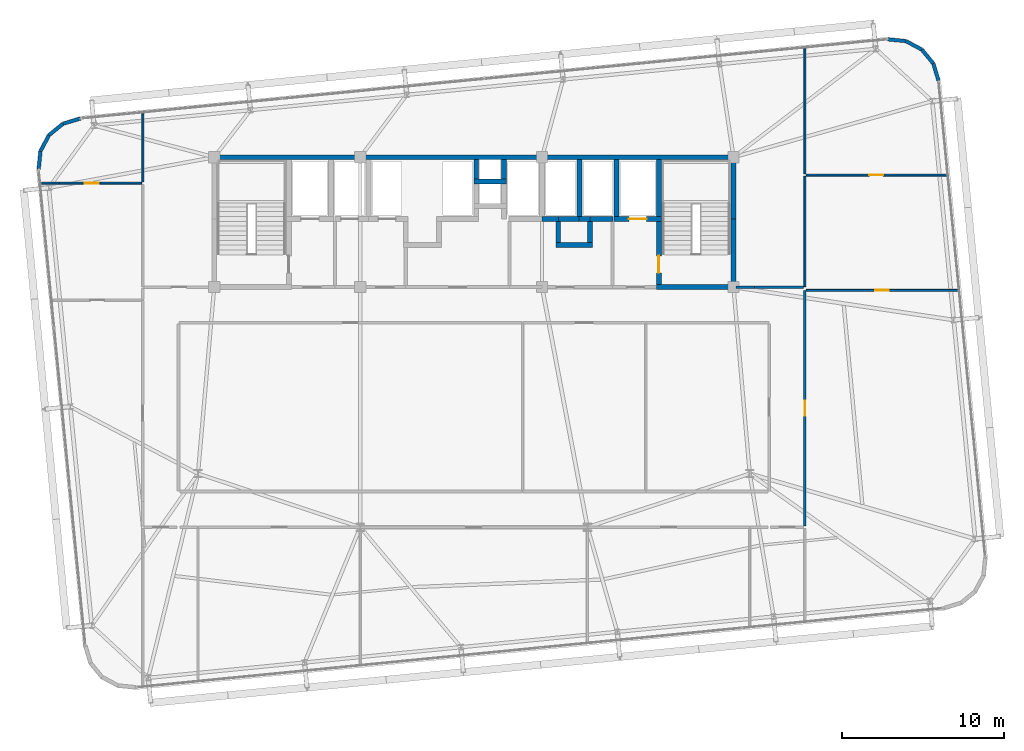
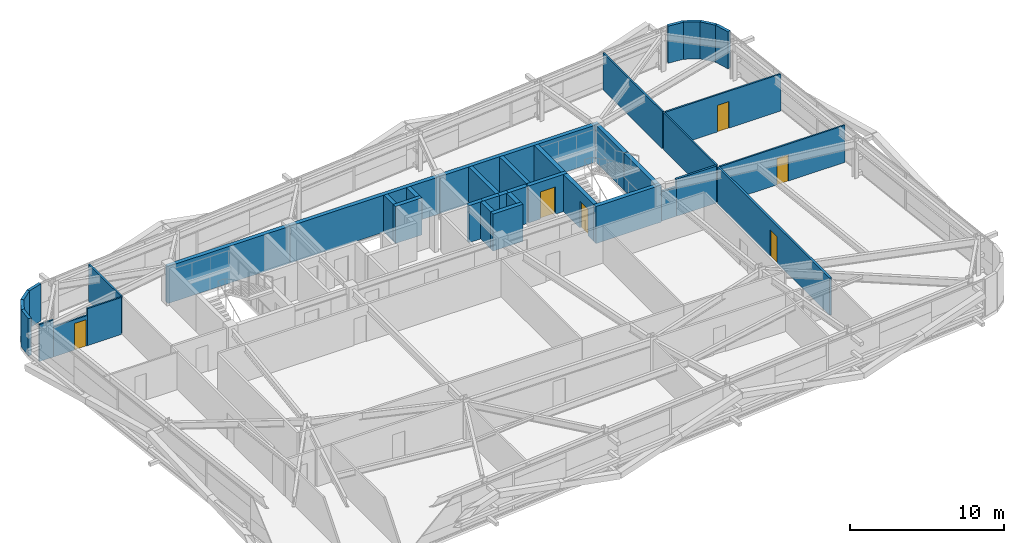
# One storey, part 43 of 47: 40 walls, 6 doors, 6 openings.
"""IFC4 building model written with IfcOpenShell, lengths in metres."""

import ifcopenshell
import ifcopenshell.guid

model = None  # the IFC model being written
_history = None  # IfcOwnerHistory: only IFC2X3 demands one
_inside = {}  # id of a spatial element -> (the spatial element, [elements in it])
_under = {}  # id of a project, library or spatial element -> (it, [spatial elements below it])
_declared = {}  # id of a project -> (the project, [libraries it declares])
_typed = {}  # id of a type object -> (the type object, [elements of that type])
_made_of = {}  # id of a material, layer set ... -> (it, [elements and type objects made of it])


def new_model(schema):
    """Start an empty IFC model of exactly this schema.

    Asked for "IFC4X3", IfcOpenShell would pick the latest addendum, in which some entities
    have other attributes; the version numbers below select the first issue.
    IFC2X3 requires an IfcOwnerHistory on every rooted entity: one is made here for all.
    """
    global model, _history
    if schema == "IFC4X3":
        model = ifcopenshell.file(schema_version=(4, 3, 0, 0))
    else:
        model = ifcopenshell.file(schema=schema)
    _inside.clear()
    _under.clear()
    _declared.clear()
    _typed.clear()
    _made_of.clear()
    _history = None
    if model.schema == "IFC2X3":
        org = make("IfcOrganization", Name="unknown")
        user = make(
            "IfcPersonAndOrganization",
            ThePerson=make("IfcPerson", FamilyName="unknown"),
            TheOrganization=org,
        )
        app = make(
            "IfcApplication",
            ApplicationDeveloper=org,
            Version="unknown",
            ApplicationFullName="unknown",
            ApplicationIdentifier="unknown",
        )
        _history = make(
            "IfcOwnerHistory",
            OwningUser=user,
            OwningApplication=app,
            ChangeAction="ADDED",
            CreationDate=0,
        )
    return model


def make(cls, **values):
    """One entity of the class cls with the attributes given. An attribute that is None is left unset."""
    return model.create_entity(
        cls, **{name: value for name, value in values.items() if value is not None}
    )


def rooted(cls, **values):
    """An entity with a GlobalId (a new one), such as an element, a storey or a relation."""
    return make(cls, GlobalId=ifcopenshell.guid.new(), OwnerHistory=_history, **values)


def si_unit(unit_type, name, prefix=None):
    """IfcSIUnit, for example si_unit("LENGTHUNIT", "METRE", prefix="MILLI")."""
    return make("IfcSIUnit", UnitType=unit_type, Prefix=prefix, Name=name)


def assignment(units):
    """IfcUnitAssignment: the units of a project."""
    return None if units is None else make("IfcUnitAssignment", Units=units)


def point(xyz):
    """IfcCartesianPoint."""
    return None if xyz is None else make("IfcCartesianPoint", Coordinates=xyz)


def direction(xyz):
    """IfcDirection."""
    return None if xyz is None else make("IfcDirection", DirectionRatios=xyz)


def frame(location, z_axis=None, x_axis=None):
    """IfcAxis2Placement3D, a coordinate frame: its origin and axes. An axis left out is left unset."""
    return make(
        "IfcAxis2Placement3D",
        Location=point(location),
        Axis=direction(z_axis),
        RefDirection=direction(x_axis),
    )


def frame_2d(location, x_axis=None):
    """IfcAxis2Placement2D, a coordinate frame in the plane: its origin and x axis."""
    return make(
        "IfcAxis2Placement2D", Location=point(location), RefDirection=direction(x_axis)
    )


def origin():
    """The frame at (0, 0, 0) with its axes left unset."""
    return frame((0.0, 0.0, 0.0))


def place(relative_to, where):
    """IfcLocalPlacement: puts the frame where relative to a parent placement (None: the world)."""
    return make(
        "IfcLocalPlacement", PlacementRelTo=relative_to, RelativePlacement=where
    )


def context(
    kind, dimensions, precision=None, world=None, true_north=None, identifier=None
):
    """IfcGeometricRepresentationContext, for example the 3D "Model" context."""
    return make(
        "IfcGeometricRepresentationContext",
        ContextIdentifier=identifier,
        ContextType=kind,
        CoordinateSpaceDimension=dimensions,
        Precision=precision,
        WorldCoordinateSystem=world,
        TrueNorth=true_north,
    )


def subcontext(parent, identifier, kind, view, scale=None):
    """IfcGeometricRepresentationSubContext, for example "Body" below "Model"."""
    return make(
        "IfcGeometricRepresentationSubContext",
        ContextIdentifier=identifier,
        ContextType=kind,
        ParentContext=parent,
        TargetScale=scale,
        TargetView=view,
    )


def project(units=None, contexts=None):
    """IfcProject with its units and contexts."""
    return rooted(
        "IfcProject",
        Name="project",
        RepresentationContexts=contexts,
        UnitsInContext=assignment(units),
    )


def spatial(cls, under=None, at=None, **own):
    """A site, building, storey or space (cls), placed at a placement, below another one or the project."""
    s = rooted(cls, ObjectPlacement=at, **own)
    if under is not None:
        _under.setdefault(under.id(), (under, []))[1].append(s)
    return s


def profile(cls, at=None, kind="AREA", **sizes):
    """A parametric profile (cls). Its sizes go by their IFC names, for example OverallWidth=200.0."""
    return make(cls, ProfileType=kind, Position=at, **sizes)


def rectangle(**sizes):
    """IfcRectangleProfileDef."""
    return profile("IfcRectangleProfileDef", **sizes)


def extrude(swept, where, along, depth):
    """IfcExtrudedAreaSolid: the profile swept, set in the frame where, extruded along a direction by depth."""
    return make(
        "IfcExtrudedAreaSolid",
        SweptArea=swept,
        Position=where,
        ExtrudedDirection=direction(along),
        Depth=depth,
    )


def shape(context_of_items, identifier, shape_type, items):
    """IfcShapeRepresentation: the items that make up one representation, for example the "Body"."""
    return make(
        "IfcShapeRepresentation",
        ContextOfItems=context_of_items,
        RepresentationIdentifier=identifier,
        RepresentationType=shape_type,
        Items=items,
    )


def source(mapping_origin, context_of_items, identifier, shape_type, items):
    """IfcRepresentationMap: a shape defined once, which mapped items show again and again."""
    return make(
        "IfcRepresentationMap",
        MappingOrigin=mapping_origin,
        MappedRepresentation=shape(context_of_items, identifier, shape_type, items),
    )


def transform(
    local_origin,
    x_axis=None,
    y_axis=None,
    z_axis=None,
    scale=None,
    scale2=None,
    scale3=None,
    uniform=True,
):
    """IfcCartesianTransformationOperator3D, or its non-uniform kind. x_axis, y_axis, z_axis: its Axis1, 2, 3."""
    if uniform:
        return make(
            "IfcCartesianTransformationOperator3D",
            Axis1=direction(x_axis),
            Axis2=direction(y_axis),
            LocalOrigin=point(local_origin),
            Scale=scale,
            Axis3=direction(z_axis),
        )
    return make(
        "IfcCartesianTransformationOperator3DnonUniform",
        Axis1=direction(x_axis),
        Axis2=direction(y_axis),
        LocalOrigin=point(local_origin),
        Scale=scale,
        Axis3=direction(z_axis),
        Scale2=scale2,
        Scale3=scale3,
    )


def mapped(mapping_source, mapping_target):
    """IfcMappedItem: shows the shape of a source again, moved by a transform."""
    return make(
        "IfcMappedItem", MappingSource=mapping_source, MappingTarget=mapping_target
    )


def material(Name=None, Category=None):
    """IfcMaterial."""
    return make("IfcMaterial", Name=Name, Category=Category)


def layer(
    of_material, thickness, ventilated=None, Name=None, Category=None, Priority=None
):
    """IfcMaterialLayer: one layer of a wall or slab, of a material (None: an air gap)."""
    return make(
        "IfcMaterialLayer",
        Material=of_material,
        LayerThickness=thickness,
        IsVentilated=ventilated,
        Name=Name,
        Category=Category,
        Priority=Priority,
    )


def layer_set(layers, Name=None):
    """IfcMaterialLayerSet."""
    return make("IfcMaterialLayerSet", MaterialLayers=layers, LayerSetName=Name)


def made_of(thing, what):
    """Note that an element or type object is made of a material, layer set ...; save() writes the relation."""
    if what is not None:
        _made_of.setdefault(what.id(), (what, []))[1].append(thing)
    return thing


def type_object(cls, material=None, **own):
    """A type object (cls), such as IfcWallType, which elements share."""
    return made_of(rooted(cls, **own), material)


def element(
    cls,
    number,
    at=None,
    inside=None,
    cuts=None,
    type_object=None,
    material=None,
    context=None,
    identifier="Body",
    shape_type=None,
    held_by="IfcProductDefinitionShape",
    body=None,
    shapes=None,
    **own,
):
    """One element of the class cls, such as IfcWall. Its Tag is "e" and its number.

    at: its placement. inside: the storey or other place that contains it. cuts: it is an
    opening in that element (IfcRelVoidsElement). A single representation is given by context,
    identifier, shape_type and body (its items); several are given by shapes. held_by: the class
    of the entity that holds the representations. save() writes the other relations.
    """
    e = rooted(cls, Tag="e%d" % number, ObjectPlacement=at, **own)
    if body is not None:
        shapes = [shape(context, identifier, shape_type, body)]
    if shapes is not None:
        e.Representation = make(held_by, Representations=shapes)
    if inside is not None:
        _inside.setdefault(inside.id(), (inside, []))[1].append(e)
    if cuts is not None:
        rooted(
            "IfcRelVoidsElement", RelatingBuildingElement=cuts, RelatedOpeningElement=e
        )
    if type_object is not None:
        _typed.setdefault(type_object.id(), (type_object, []))[1].append(e)
    return made_of(e, material)


def fill(opening, filler):
    """IfcRelFillsElement: the door or window that sits in an opening."""
    return rooted(
        "IfcRelFillsElement",
        RelatingOpeningElement=opening,
        RelatedBuildingElement=filler,
    )


def aggregate(whole, parts):
    """IfcRelAggregates: a whole, such as a stair, and the parts it consists of."""
    return rooted("IfcRelAggregates", RelatingObject=whole, RelatedObjects=parts)


def save(model, path):
    """Write the relations noted so far, then the file.

    IfcRelAggregates (storeys below a building ...), IfcRelContainedInSpatialStructure (elements
    in a storey), IfcRelDefinesByType, IfcRelAssociatesMaterial and IfcRelDeclares: one each for
    every whole, place, type object, material and project.
    """
    for whole, parts in _under.values():
        aggregate(whole, parts)
    for where, things in _inside.values():
        rooted(
            "IfcRelContainedInSpatialStructure",
            RelatedElements=things,
            RelatingStructure=where,
        )
    for kind, things in _typed.values():
        rooted("IfcRelDefinesByType", RelatedObjects=things, RelatingType=kind)
    for what, things in _made_of.values():
        rooted("IfcRelAssociatesMaterial", RelatedObjects=things, RelatingMaterial=what)
    for by, libraries in _declared.values():
        rooted("IfcRelDeclares", RelatingContext=by, RelatedDefinitions=libraries)
    model.write(path)


model = new_model("IFC4")

# Units and contexts
model_context = context("Model", 3, precision=1e-05, world=origin(), true_north=direction((0.0, 1.0)))
body_context = subcontext(model_context, "Body", "Model", "MODEL_VIEW")
ifc_project = project(units=[si_unit("LENGTHUNIT", "METRE"), si_unit("AREAUNIT", "SQUARE_METRE"), si_unit("VOLUMEUNIT", "CUBIC_METRE"), si_unit("PLANEANGLEUNIT", "RADIAN"), si_unit("MASSUNIT", "GRAM", prefix="KILO")], contexts=[model_context])

# Site, building, storey
site_placement = place(None, origin())
site = spatial("IfcSite", under=ifc_project, at=site_placement, CompositionType="ELEMENT")
building_placement = place(site_placement, origin())
building = spatial("IfcBuilding", under=site, at=building_placement, Name="Taldren Reach Tower", CompositionType="ELEMENT")
storey_placement = place(building_placement, frame((0.0, 0.0, 106.050048828125)))
storey = spatial("IfcBuildingStorey", under=building, at=storey_placement, Name="L32", CompositionType="ELEMENT", Elevation=106.050048828125)

# Walls
ifc_material_1 = material(Name="Pale Champagne Anodised Aluminium Cladding", Category="aluminium")
ifc_layer_1 = layer(ifc_material_1, 0.04, Name="Pale Champagne Anodised Aluminium Cladding", Category="aluminium")
ifc_material_2 = material(Name="Mineral Wool Acoustic Insulation", Category="insulation")
ifc_layer_2 = layer(ifc_material_2, 0.06, Name="Mineral Wool Acoustic Insulation", Category="insulation")
ifc_material_3 = material(Name="Steel Gr 350 (C350L0)", Category="steel")
ifc_layer_3 = layer(ifc_material_3, 0.12, Name="Steel Gr 350 (C350L0)", Category="steel")
ifc_layer_set_1 = layer_set([ifc_layer_1, ifc_layer_2, ifc_layer_3], Name="Pale Champagne Aluminium Cladding and Steel Gr 350 Stud Framing")
wall_type_1 = type_object("IfcWallType", Name="EW-CRN-220", PredefinedType="SOLIDWALL", material=ifc_layer_set_1)
shared_shape_1 = source(origin(), body_context, "Body", "SweptSolid", [
    extrude(rectangle(XDim=1.115966796875, YDim=0.219970703125, at=frame_2d((0.55810546875, 0.0))), origin(), (0.0, 0.0, 1.0), 2.929931640625),
])
for number, where, z_axis, x_axis, name in (
    (1, (63.6376953125, 36.6982421875, 0.0), (0.0, 0.0, 1.0), (-0.289855603468, 0.957070388811, 0.0), "Rounded-corner pale-metal facade wall L32-NE1"),
    (2, (62.606689453125, 38.629150390625, 0.0), (0.0, 0.0, 1.0), (-0.881655534635, 0.471893545461, 0.0), "Rounded-corner pale-metal facade wall L32-NE3"),
    (3, (61.622802734375, 39.15576171875, 0.0), (0.0, 0.0, 1.0), (-0.995142755671, 0.09844234778, 0.0), "Rounded-corner pale-metal facade wall L32-NE4"),
    (4, (10.7509765625, 34.386474609375, 0.0), (0.0, 0.0, 1.0), (-0.957070388811, -0.289855603468, 0.0), "Rounded-corner pale-metal facade wall L32-NW1"),
):
    element("IfcWall", number, at=place(storey_placement, frame(where, z_axis=z_axis, x_axis=x_axis)), inside=storey, type_object=wall_type_1, Name=name, PredefinedType="SOLIDWALL", context=body_context, shape_type="MappedRepresentation", body=[
        mapped(shared_shape_1, transform((0.0, 0.0, 0.0), scale=1.0)),
    ])
shared_shape_2 = source(origin(), body_context, "Body", "SweptSolid", [
    extrude(rectangle(XDim=1.11572265625, YDim=0.219970703125, at=frame_2d((0.557861328125, 0.0))), origin(), (0.0, 0.0, 1.0), 2.929931640625),
])
for number, where, z_axis, x_axis, name in (
    (5, (63.314208984375, 37.766357421875, 0.0), (0.0, 0.0, 1.0), (-0.634095287989, 0.773254916409, 0.0), "Rounded-corner pale-metal facade wall L32-NE2"),
    (6, (9.682861328125, 34.06298828125, 0.0), (0.0, 0.0, 1.0), (-0.773254916409, -0.634095287989, 0.0), "Rounded-corner pale-metal facade wall L32-NW2"),
    (7, (8.29345703125, 32.371337890625, 0.0), (0.0, 0.0, 1.0), (-0.098463783145, -0.99514063499, 0.0), "Rounded-corner pale-metal facade wall L32-NW4"),
):
    element("IfcWall", number, at=place(storey_placement, frame(where, z_axis=z_axis, x_axis=x_axis)), inside=storey, type_object=wall_type_1, Name=name, PredefinedType="SOLIDWALL", context=body_context, shape_type="MappedRepresentation", body=[
        mapped(shared_shape_2, transform((0.0, 0.0, 0.0), scale=1.0)),
    ])
shared_shape_3 = source(origin(), body_context, "Body", "SweptSolid", [
    extrude(rectangle(XDim=1.1162109375, YDim=0.219970703125, at=frame_2d((0.55810546875, 0.0))), origin(), (0.0, 0.0, 1.0), 2.929931640625),
])
wall_1_placement = place(storey_placement, frame((8.820068359375, 33.35546875, 0.0), z_axis=(0.0, 0.0, 1.0), x_axis=(-0.471802540493, -0.881704237704, 0.0)))
element("IfcWall", 8, at=wall_1_placement, inside=storey, type_object=wall_type_1, Name="Rounded-corner pale-metal facade wall L32-NW3", PredefinedType="SOLIDWALL", context=body_context, shape_type="MappedRepresentation", body=[
    mapped(shared_shape_3, transform((0.0, 0.0, 0.0), scale=1.0)),
])
ifc_material_4 = material(Name="Concrete S65 (65 MPa)", Category="concrete")
ifc_layer_4 = layer(ifc_material_4, 0.300048828125)
ifc_layer_set_2 = layer_set([ifc_layer_4], Name="Concrete S65 (65 MPa)")
wall_type_2 = type_object("IfcWallType", Name="IW-CORE-300", PredefinedType="SHEAR", material=ifc_layer_set_2)
shared_shape_4 = source(origin(), body_context, "Body", "SweptSolid", [
    extrude(rectangle(XDim=9.14990234375, YDim=0.300048828125, at=frame_2d((4.574951171875, 0.0))), origin(), (0.0, 0.0, 1.0), 2.929931640625),
])
wall_2_placement = place(storey_placement, frame((18.85009765625, 32.0, 0.0), z_axis=(0.0, 0.0, 1.0), x_axis=(1.0, 0.0, 0.0)))
element("IfcWall", 9, at=wall_2_placement, inside=storey, type_object=wall_type_2, Name="Rear Core Shear Wall W-CORE-L32-NORTH1", PredefinedType="SHEAR", context=body_context, shape_type="MappedRepresentation", body=[
    mapped(shared_shape_4, transform((0.0, 0.0, 0.0), scale=1.0)),
])
shared_shape_5 = source(origin(), body_context, "Body", "SweptSolid", [
    extrude(rectangle(XDim=11.199951171875, YDim=0.300048828125, at=frame_2d((5.60009765625, 0.0))), origin(), (0.0, 0.0, 1.0), 2.929931640625),
])
wall_3_placement = place(storey_placement, frame((28.0, 32.0, 0.0), z_axis=(0.0, 0.0, 1.0), x_axis=(1.0, 0.0, 0.0)))
element("IfcWall", 10, at=wall_3_placement, inside=storey, type_object=wall_type_2, Name="Rear Core Shear Wall W-CORE-L32-NORTH2", PredefinedType="SHEAR", context=body_context, shape_type="MappedRepresentation", body=[
    mapped(shared_shape_5, transform((0.0, 0.0, 0.0), scale=1.0)),
])
shared_shape_6 = source(origin(), body_context, "Body", "SweptSolid", [
    extrude(rectangle(XDim=11.949951171875, YDim=0.300048828125, at=frame_2d((5.97509765625, 0.0))), origin(), (0.0, 0.0, 1.0), 2.929931640625),
])
wall_4_placement = place(storey_placement, frame((39.199951171875, 32.0, 0.0), z_axis=(0.0, 0.0, 1.0), x_axis=(1.0, 0.0, 0.0)))
element("IfcWall", 11, at=wall_4_placement, inside=storey, type_object=wall_type_2, Name="Rear Core Shear Wall W-CORE-L32-NORTH3", PredefinedType="SHEAR", context=body_context, shape_type="MappedRepresentation", body=[
    mapped(shared_shape_6, transform((0.0, 0.0, 0.0), scale=1.0)),
])
shared_shape_7 = source(origin(), body_context, "Body", "SweptSolid", [
    extrude(rectangle(XDim=4.050048828125, YDim=0.300048828125, at=frame_2d((2.02490234375, 0.0))), origin(), (0.0, 0.0, 1.0), 2.929931640625),
])
wall_5_placement = place(storey_placement, frame((51.0, 24.14990234375, 0.0), z_axis=(0.0, 0.0, 1.0), x_axis=(0.0, 1.0, 0.0)))
element("IfcWall", 12, at=wall_5_placement, inside=storey, type_object=wall_type_2, Name="Rear Core Shear Wall W-CORE-L32-EAST1", PredefinedType="SHEAR", context=body_context, shape_type="MappedRepresentation", body=[
    mapped(shared_shape_7, transform((0.0, 0.0, 0.0), scale=1.0)),
])
shared_shape_8 = source(origin(), body_context, "Body", "SweptSolid", [
    extrude(rectangle(XDim=3.650146484375, YDim=0.300048828125, at=frame_2d((1.8251953125, 0.0))), origin(), (0.0, 0.0, 1.0), 2.929931640625),
])
wall_6_placement = place(storey_placement, frame((51.0, 28.199951171875, 0.0), z_axis=(0.0, 0.0, 1.0), x_axis=(0.0, 1.0, 0.0)))
element("IfcWall", 13, at=wall_6_placement, inside=storey, type_object=wall_type_2, Name="Rear Core Shear Wall W-CORE-L32-EAST2", PredefinedType="SHEAR", context=body_context, shape_type="MappedRepresentation", body=[
    mapped(shared_shape_8, transform((0.0, 0.0, 0.0), scale=1.0)),
])
shared_shape_9 = source(origin(), body_context, "Body", "SweptSolid", [
    extrude(rectangle(XDim=3.5, YDim=0.300048828125, at=frame_2d((1.75, 0.0))), origin(), (0.0, 0.0, 1.0), 2.929931640625),
])
for number, where, z_axis, x_axis, name in (
    (14, (46.39990234375, 31.85009765625, 0.0), (0.0, 0.0, 1.0), (0.0, -1.0, 0.0), "Rear Core Shear Wall W-INT-L32-008"),
    (15, (43.800048828125, 31.85009765625, 0.0), (0.0, 0.0, 1.0), (0.0, -1.0, 0.0), "Rear Core Shear Wall W-INT-L32-012"),
    (16, (41.5, 28.35009765625, 0.0), (0.0, 0.0, 1.0), (0.0, 1.0, 0.0), "Rear Core Shear Wall W-INT-L32-039"),
):
    element("IfcWall", number, at=place(storey_placement, frame(where, z_axis=z_axis, x_axis=x_axis)), inside=storey, type_object=wall_type_2, Name=name, PredefinedType="SHEAR", context=body_context, shape_type="MappedRepresentation", body=[
        mapped(shared_shape_9, transform((0.0, 0.0, 0.0), scale=1.0)),
    ])

# Wall, opening, door
shared_shape_10 = source(origin(), body_context, "Body", "SweptSolid", [
    extrude(rectangle(XDim=3.900146484375, YDim=0.300048828125, at=frame_2d((1.9501953125, 0.0))), origin(), (0.0, 0.0, 1.0), 2.929931640625),
])
wall_7_placement = place(storey_placement, frame((46.39990234375, 28.050048828125, 0.0), z_axis=(0.0, 0.0, 1.0), x_axis=(0.0, -1.0, 0.0)))
wall_7 = element("IfcWall", 17, at=wall_7_placement, inside=storey, type_object=wall_type_2, Name="Rear Core Shear Wall W-INT-L32-009", PredefinedType="SHEAR", context=body_context, shape_type="MappedRepresentation", body=[
    mapped(shared_shape_10, transform((0.0, 0.0, 0.0), scale=1.0)),
])
shared_shape_11 = source(origin(), body_context, "Body", "SweptSolid", [
    extrude(rectangle(XDim=1.050048828125, YDim=2.10009765625, at=frame_2d((0.52490234375, 1.050048828125))), frame((0.0, 0.16015625, 0.0), z_axis=(0.0, -1.0, 0.0), x_axis=(1.0, 0.0, 0.0)), (0.0, 0.0, 1.0), 0.320068359375),
])
opening_1_placement = place(wall_7_placement, frame((2.125, 0.0, 0.0)))
opening_1 = element("IfcOpeningElement", 18, at=opening_1_placement, cuts=wall_7, Name="Opening DF-105", PredefinedType="OPENING", context=body_context, shape_type="MappedRepresentation", body=[
    mapped(shared_shape_11, transform((0.0, 0.0, 0.0), scale=1.0)),
])
ifc_material_5 = material(Name="Fire-Rated Care and Stair Exit Door")
door_type_1 = type_object("IfcDoorType", Name="ID-FIRE-105", OperationType="NOTDEFINED", PredefinedType="DOOR", material=ifc_material_5)
shared_shape_12 = source(origin(), body_context, "Body", "SweptSolid", [
    extrude(rectangle(XDim=1.050048828125, YDim=2.10009765625, at=frame_2d((0.52490234375, 1.050048828125))), frame((0.0, 0.02490234375, 0.0), z_axis=(0.0, -1.0, 0.0), x_axis=(1.0, 0.0, 0.0)), (0.0, 0.0, 1.0), 0.050048828125),
])
door_1_placement = place(opening_1_placement, origin())
door_1 = element("IfcDoor", 19, at=door_1_placement, inside=storey, type_object=door_type_1, Name="Fire Exit Stair Door DR-L32-003", OperationType="SINGLE_SWING_RIGHT", OverallHeight=2.10009765625, OverallWidth=1.050048828125, PredefinedType="DOOR", context=body_context, shape_type="MappedRepresentation", body=[
    mapped(shared_shape_12, transform((0.0, 0.0, 0.0), scale=1.0)),
])
fill(opening_1, door_1)

# Wall
shared_shape_13 = source(origin(), body_context, "Body", "SweptSolid", [
    extrude(rectangle(XDim=4.89990234375, YDim=0.300048828125, at=frame_2d((2.449951171875, 0.0))), origin(), (0.0, 0.0, 1.0), 2.929931640625),
])
wall_8_placement = place(storey_placement, frame((46.25, 24.0, 0.0), z_axis=(0.0, 0.0, 1.0), x_axis=(1.0, 0.0, 0.0)))
element("IfcWall", 20, at=wall_8_placement, inside=storey, type_object=wall_type_2, Name="Rear Core Shear Wall W-INT-L32-010", PredefinedType="SHEAR", context=body_context, shape_type="MappedRepresentation", body=[
    mapped(shared_shape_13, transform((0.0, 0.0, 0.0), scale=1.0)),
])

# Wall, opening, door
shared_shape_14 = source(origin(), body_context, "Body", "SweptSolid", [
    extrude(rectangle(XDim=2.900146484375, YDim=0.300048828125, at=frame_2d((1.4501953125, 0.0))), origin(), (0.0, 0.0, 1.0), 2.929931640625),
])
wall_9_placement = place(storey_placement, frame((43.64990234375, 28.199951171875, 0.0), z_axis=(0.0, 0.0, 1.0), x_axis=(1.0, 0.0, 0.0)))
wall_9 = element("IfcWall", 21, at=wall_9_placement, inside=storey, type_object=wall_type_2, Name="Rear Core Shear Wall W-INT-L32-011", PredefinedType="SHEAR", context=body_context, shape_type="MappedRepresentation", body=[
    mapped(shared_shape_14, transform((0.0, 0.0, 0.0), scale=1.0)),
])
shared_shape_15 = source(origin(), body_context, "Body", "SweptSolid", [
    extrude(rectangle(XDim=1.10009765625, YDim=2.14990234375, at=frame_2d((0.550048828125, 1.074951171875))), frame((0.0, 0.16015625, 0.0), z_axis=(0.0, -1.0, 0.0), x_axis=(1.0, 0.0, 0.0)), (0.0, 0.0, 1.0), 0.320068359375),
])
opening_2_placement = place(wall_9_placement, frame((0.89990234375, 0.0, 0.0)))
opening_2 = element("IfcOpeningElement", 22, at=opening_2_placement, cuts=wall_9, Name="Opening LD-FL2", PredefinedType="OPENING", context=body_context, shape_type="MappedRepresentation", body=[
    mapped(shared_shape_15, transform((0.0, 0.0, 0.0), scale=1.0)),
])
ifc_material_6 = material(Name="Stainless Steel Gr 316 Emergency Lift Landing Door", Category="steel")
door_type_2 = type_object("IfcDoorType", Name="LD-EMG-110", OperationType="SLIDING_TO_LEFT", PredefinedType="DOOR", material=ifc_material_6)
shared_shape_16 = source(origin(), body_context, "Body", "SweptSolid", [
    extrude(rectangle(XDim=1.10009765625, YDim=2.14990234375, at=frame_2d((0.550048828125, 1.074951171875))), frame((0.0, 0.02490234375, 0.0), z_axis=(0.0, -1.0, 0.0), x_axis=(1.0, 0.0, 0.0)), (0.0, 0.0, 1.0), 0.050048828125),
])
door_2_placement = place(opening_2_placement, origin())
door_2 = element("IfcDoor", 23, at=door_2_placement, inside=storey, type_object=door_type_2, Name="Lift Landing Door LD-FL2-L32", OperationType="SLIDING_TO_LEFT", OverallHeight=2.14990234375, OverallWidth=1.10009765625, PredefinedType="DOOR", context=body_context, shape_type="MappedRepresentation", body=[
    mapped(shared_shape_16, transform((0.0, 0.0, 0.0), scale=1.0)),
])
fill(opening_2, door_2)

# Walls
shared_shape_17 = source(origin(), body_context, "Body", "SweptSolid", [
    extrude(rectangle(XDim=2.0, YDim=0.300048828125, at=frame_2d((1.0, 0.0))), origin(), (0.0, 0.0, 1.0), 2.929931640625),
])
wall_10_placement = place(storey_placement, frame((35.0, 30.5, 0.0), z_axis=(0.0, 0.0, 1.0), x_axis=(1.0, 0.0, 0.0)))
element("IfcWall", 24, at=wall_10_placement, inside=storey, type_object=wall_type_2, Name="Rear Core Shear Wall W-INT-L32-015", PredefinedType="SHEAR", context=body_context, shape_type="MappedRepresentation", body=[
    mapped(shared_shape_17, transform((0.0, 0.0, 0.0), scale=1.0)),
])
shared_shape_18 = source(origin(), body_context, "Body", "SweptSolid", [
    extrude(rectangle(XDim=1.2001953125, YDim=0.300048828125, at=frame_2d((0.60009765625, 0.0))), origin(), (0.0, 0.0, 1.0), 2.929931640625),
])
for number, where, z_axis, x_axis, name in (
    (25, (35.14990234375, 31.85009765625, 0.0), (0.0, 0.0, 1.0), (0.0, -1.0, 0.0), "Rear Core Shear Wall W-INT-L32-016"),
    (26, (36.85009765625, 30.64990234375, 0.0), (0.0, 0.0, 1.0), (0.0, 1.0, 0.0), "Rear Core Shear Wall W-INT-L32-017"),
):
    element("IfcWall", number, at=place(storey_placement, frame(where, z_axis=z_axis, x_axis=x_axis)), inside=storey, type_object=wall_type_2, Name=name, PredefinedType="SHEAR", context=body_context, shape_type="MappedRepresentation", body=[
        mapped(shared_shape_18, transform((0.0, 0.0, 0.0), scale=1.0)),
    ])
shared_shape_19 = source(origin(), body_context, "Body", "SweptSolid", [
    extrude(rectangle(XDim=1.300048828125, YDim=0.300048828125, at=frame_2d((0.64990234375, 0.0))), origin(), (0.0, 0.0, 1.0), 2.929931640625),
])
for number, where, z_axis, x_axis, name in (
    (27, (40.199951171875, 28.050048828125, 0.0), (0.0, 0.0, 1.0), (0.0, -1.0, 0.0), "Rear Core Shear Wall W-INT-L32-027"),
    (28, (42.14990234375, 26.75, 0.0), (0.0, 0.0, 1.0), (0.0, 1.0, 0.0), "Rear Core Shear Wall W-INT-L32-028"),
):
    element("IfcWall", number, at=place(storey_placement, frame(where, z_axis=z_axis, x_axis=x_axis)), inside=storey, type_object=wall_type_2, Name=name, PredefinedType="SHEAR", context=body_context, shape_type="MappedRepresentation", body=[
        mapped(shared_shape_19, transform((0.0, 0.0, 0.0), scale=1.0)),
    ])
shared_shape_20 = source(origin(), body_context, "Body", "SweptSolid", [
    extrude(rectangle(XDim=1.320068359375, YDim=0.300048828125, at=frame_2d((0.66015625, 0.0))), origin(), (0.0, 0.0, 1.0), 2.929931640625),
])
wall_11_placement = place(storey_placement, frame((41.52001953125, 28.199951171875, 0.0), z_axis=(0.0, 0.0, 1.0), x_axis=(-1.0, 0.0, 0.0)))
element("IfcWall", 29, at=wall_11_placement, inside=storey, type_object=wall_type_2, Name="Rear Core Shear Wall W-INT-L32-024", PredefinedType="SHEAR", context=body_context, shape_type="MappedRepresentation", body=[
    mapped(shared_shape_20, transform((0.0, 0.0, 0.0), scale=1.0)),
])
shared_shape_21 = source(origin(), body_context, "Body", "SweptSolid", [
    extrude(rectangle(XDim=0.669921875, YDim=0.300048828125, at=frame_2d((0.3349609375, 0.0))), origin(), (0.0, 0.0, 1.0), 2.929931640625),
])
wall_12_placement = place(storey_placement, frame((42.14990234375, 28.199951171875, 0.0), z_axis=(0.0, 0.0, 1.0), x_axis=(-1.0, 0.0, 0.0)))
element("IfcWall", 30, at=wall_12_placement, inside=storey, type_object=wall_type_2, Name="Rear Core Shear Wall W-INT-L32-025", PredefinedType="SHEAR", context=body_context, shape_type="MappedRepresentation", body=[
    mapped(shared_shape_21, transform((0.0, 0.0, 0.0), scale=1.0)),
])
shared_shape_22 = source(origin(), body_context, "Body", "SweptSolid", [
    extrude(rectangle(XDim=1.02001953125, YDim=0.300048828125, at=frame_2d((0.510009765625, 0.0))), origin(), (0.0, 0.0, 1.0), 2.929931640625),
])
wall_13_placement = place(storey_placement, frame((39.199951171875, 28.199951171875, 0.0), z_axis=(0.0, 0.0, 1.0), x_axis=(1.0, 0.0, 0.0)))
element("IfcWall", 31, at=wall_13_placement, inside=storey, type_object=wall_type_2, Name="Rear Core Shear Wall W-INT-L32-040", PredefinedType="SHEAR", context=body_context, shape_type="MappedRepresentation", body=[
    mapped(shared_shape_22, transform((0.0, 0.0, 0.0), scale=1.0)),
])
shared_shape_23 = source(origin(), body_context, "Body", "SweptSolid", [
    extrude(rectangle(XDim=1.440185546875, YDim=0.300048828125, at=frame_2d((0.72021484375, 0.0))), origin(), (0.0, 0.0, 1.0), 2.929931640625),
])
wall_14_placement = place(storey_placement, frame((42.1298828125, 28.199951171875, 0.0), z_axis=(0.0, 0.0, 1.0), x_axis=(1.0, 0.0, 0.0)))
element("IfcWall", 32, at=wall_14_placement, inside=storey, type_object=wall_type_2, Name="Rear Core Shear Wall W-INT-L32-041", PredefinedType="SHEAR", context=body_context, shape_type="MappedRepresentation", body=[
    mapped(shared_shape_23, transform((0.0, 0.0, 0.0), scale=1.0)),
])
ifc_material_7 = material(Name="Fire-Rated Acoustic Plasterboard Stud Wall", Category="gypsum")
ifc_layer_5 = layer(ifc_material_7, 0.159912109375)
ifc_layer_set_3 = layer_set([ifc_layer_5], Name="Fire-Rated Acoustic Plasterboard Stud Wall")
wall_type_3 = type_object("IfcWallType", Name="IW-FIRE-160", PredefinedType="PARTITIONING", material=ifc_layer_set_3)
shared_shape_24 = source(origin(), body_context, "Body", "SweptSolid", [
    extrude(rectangle(XDim=1.154541015625, YDim=0.159912109375, at=frame_2d((0.5771484375, 0.0))), origin(), (0.0, 0.0, 1.0), 2.327880859375),
])
wall_15_placement = place(storey_placement, frame((51.14990234375, 24.0, 0.0), z_axis=(0.0, 0.0, 1.0), x_axis=(1.0, 0.0, 0.0)))
element("IfcWall", 33, at=wall_15_placement, inside=storey, type_object=wall_type_3, Name="Interior Partition Wall W-INT-L32-056", PredefinedType="PARTITIONING", context=body_context, shape_type="MappedRepresentation", body=[
    mapped(shared_shape_24, transform((0.0, 0.0, 0.0), scale=1.0)),
])
shared_shape_25 = source(origin(), body_context, "Body", "SweptSolid", [
    extrude(rectangle(XDim=3.015625, YDim=0.159912109375, at=frame_2d((1.5078125, 0.0))), origin(), (0.0, 0.0, 1.0), 2.929931640625),
])
wall_16_placement = place(storey_placement, frame((52.304443359375, 24.0, 0.0), z_axis=(0.0, 0.0, 1.0), x_axis=(1.0, 0.0, 0.0)))
element("IfcWall", 34, at=wall_16_placement, inside=storey, type_object=wall_type_3, Name="Interior Partition Wall W-INT-L32-056 part 2", PredefinedType="PARTITIONING", context=body_context, shape_type="MappedRepresentation", body=[
    mapped(shared_shape_25, transform((0.0, 0.0, 0.0), scale=1.0)),
])
shared_shape_26 = source(origin(), body_context, "Body", "SweptSolid", [
    extrude(rectangle(XDim=2.25, YDim=0.300048828125, at=frame_2d((1.125, 0.0))), origin(), (0.0, 0.0, 1.0), 2.929931640625),
])
wall_17_placement = place(storey_placement, frame((40.050048828125, 26.60009765625, 0.0), z_axis=(0.0, 0.0, 1.0), x_axis=(1.0, 0.0, 0.0)))
element("IfcWall", 35, at=wall_17_placement, inside=storey, type_object=wall_type_2, Name="Rear Core Shear Wall W-INT-L32-026", PredefinedType="SHEAR", context=body_context, shape_type="MappedRepresentation", body=[
    mapped(shared_shape_26, transform((0.0, 0.0, 0.0), scale=1.0)),
])

# Wall, opening, door
shared_shape_27 = source(origin(), body_context, "Body", "SweptSolid", [
    extrude(rectangle(XDim=14.499755859375, YDim=0.159912109375, at=frame_2d((7.25, 0.0))), origin(), (0.0, 0.0, 1.0), 2.929931640625),
])
wall_18_placement = place(storey_placement, frame((55.39990234375, 23.77978515625, 0.0), z_axis=(0.0, 0.0, 1.0), x_axis=(0.0, -1.0, 0.0)))
wall_18 = element("IfcWall", 36, at=wall_18_placement, inside=storey, type_object=wall_type_3, Name="Interior Partition Wall W-INT-L32-054", PredefinedType="PARTITIONING", context=body_context, shape_type="MappedRepresentation", body=[
    mapped(shared_shape_27, transform((0.0, 0.0, 0.0), scale=1.0)),
])
shared_shape_28 = source(origin(), body_context, "Body", "SweptSolid", [
    extrude(rectangle(XDim=0.919921875, YDim=2.10009765625, at=frame_2d((0.4599609375, 1.050048828125))), frame((0.0, 0.08984375, 0.0), z_axis=(0.0, -1.0, 0.0), x_axis=(1.0, 0.0, 0.0)), (0.0, 0.0, 1.0), 0.179931640625),
])
opening_3_placement = place(wall_18_placement, frame((6.789794921875, 0.0, 0.0)))
opening_3 = element("IfcOpeningElement", 37, at=opening_3_placement, cuts=wall_18, Name="Opening DI-092", PredefinedType="OPENING", context=body_context, shape_type="MappedRepresentation", body=[
    mapped(shared_shape_28, transform((0.0, 0.0, 0.0), scale=1.0)),
])
ifc_material_8 = material(Name="Solid-Core Timber Suite Door", Category="wood")
door_type_3 = type_object("IfcDoorType", Name="ID-INT-092", OperationType="NOTDEFINED", PredefinedType="DOOR", material=ifc_material_8)
shared_shape_29 = source(origin(), body_context, "Body", "SweptSolid", [
    extrude(rectangle(XDim=0.919921875, YDim=2.10009765625, at=frame_2d((0.4599609375, 1.050048828125))), frame((0.0, 0.02490234375, 0.0), z_axis=(0.0, -1.0, 0.0), x_axis=(1.0, 0.0, 0.0)), (0.0, 0.0, 1.0), 0.050048828125),
])
door_3_placement = place(opening_3_placement, origin())
door_3 = element("IfcDoor", 38, at=door_3_placement, inside=storey, type_object=door_type_3, Name="Interior Door DR-L32-014", OperationType="SINGLE_SWING_LEFT", OverallHeight=2.10009765625, OverallWidth=0.919921875, PredefinedType="DOOR", context=body_context, shape_type="MappedRepresentation", body=[
    mapped(shared_shape_29, transform((0.0, 0.0, 0.0), scale=1.0)),
])
fill(opening_3, door_3)

# Wall
ifc_material_9 = material(Name="Insulated Residential Stud Partition", Category="gypsum")
ifc_layer_6 = layer(ifc_material_9, 0.1201171875)
ifc_layer_set_4 = layer_set([ifc_layer_6], Name="Insulated Residential Stud Partition")
wall_type_4 = type_object("IfcWallType", Name="IW-PART-120", PredefinedType="PARTITIONING", material=ifc_layer_set_4)
shared_shape_30 = source(origin(), body_context, "Body", "SweptSolid", [
    extrude(rectangle(XDim=1.07666015625, YDim=0.1201171875, at=frame_2d((0.538330078125, 0.0))), origin(), (0.0, 0.0, 1.0), 2.929931640625),
])
wall_19_placement = place(storey_placement, frame((8.3662109375, 30.39990234375, 0.0), z_axis=(0.0, 0.0, 1.0), x_axis=(1.0, 0.0, 0.0)))
element("IfcWall", 39, at=wall_19_placement, inside=storey, type_object=wall_type_4, Name="Interior Partition Wall W-INT-L32-074", PredefinedType="PARTITIONING", context=body_context, shape_type="MappedRepresentation", body=[
    mapped(shared_shape_30, transform((0.0, 0.0, 0.0), scale=1.0)),
])

# Wall, opening, door
shared_shape_31 = source(origin(), body_context, "Body", "SweptSolid", [
    extrude(rectangle(XDim=2.5302734375, YDim=0.1201171875, at=frame_2d((1.26513671875, 0.0))), origin(), (0.0, 0.0, 1.0), 2.39697265625),
])
wall_20_placement = place(storey_placement, frame((9.44287109375, 30.39990234375, 0.0), z_axis=(0.0, 0.0, 1.0), x_axis=(1.0, 0.0, 0.0)))
wall_20 = element("IfcWall", 40, at=wall_20_placement, inside=storey, type_object=wall_type_4, Name="Interior Partition Wall W-INT-L32-074 part 2", PredefinedType="PARTITIONING", context=body_context, shape_type="MappedRepresentation", body=[
    mapped(shared_shape_31, transform((0.0, 0.0, 0.0), scale=1.0)),
])
shared_shape_32 = source(origin(), body_context, "Body", "SweptSolid", [
    extrude(rectangle(XDim=0.860107421875, YDim=2.10009765625, at=frame_2d((0.43017578125, 1.050048828125))), frame((0.0, 0.070068359375, 0.0), z_axis=(0.0, -1.0, 0.0), x_axis=(1.0, 0.0, 0.0)), (0.0, 0.0, 1.0), 0.14013671875),
])
opening_4_placement = place(wall_20_placement, frame((1.570068359375, 0.0, 0.0)))
opening_4 = element("IfcOpeningElement", 41, at=opening_4_placement, cuts=wall_20, Name="Opening DI-086", PredefinedType="OPENING", context=body_context, shape_type="MappedRepresentation", body=[
    mapped(shared_shape_32, transform((0.0, 0.0, 0.0), scale=1.0)),
])
ifc_material_10 = material(Name="Timber Bathroom Door", Category="wood")
door_type_4 = type_object("IfcDoorType", Name="ID-INT-086", OperationType="NOTDEFINED", PredefinedType="DOOR", material=ifc_material_10)
shared_shape_33 = source(origin(), body_context, "Body", "SweptSolid", [
    extrude(rectangle(XDim=0.860107421875, YDim=2.10009765625, at=frame_2d((0.43017578125, 1.050048828125))), frame((0.0, 0.02490234375, 0.0), z_axis=(0.0, -1.0, 0.0), x_axis=(1.0, 0.0, 0.0)), (0.0, 0.0, 1.0), 0.050048828125),
])
door_4_placement = place(opening_4_placement, origin())
door_4 = element("IfcDoor", 42, at=door_4_placement, inside=storey, type_object=door_type_4, Name="Interior Door DR-L32-020", OperationType="SINGLE_SWING_LEFT", OverallHeight=2.10009765625, OverallWidth=0.860107421875, PredefinedType="DOOR", context=body_context, shape_type="MappedRepresentation", body=[
    mapped(shared_shape_33, transform((0.0, 0.0, 0.0), scale=1.0)),
])
fill(opening_4, door_4)

# Walls
shared_shape_34 = source(origin(), body_context, "Body", "SweptSolid", [
    extrude(rectangle(XDim=2.546875, YDim=0.1201171875, at=frame_2d((1.2734375, 0.0))), origin(), (0.0, 0.0, 1.0), 2.929931640625),
])
wall_21_placement = place(storey_placement, frame((11.97314453125, 30.39990234375, 0.0), z_axis=(0.0, 0.0, 1.0), x_axis=(1.0, 0.0, 0.0)))
element("IfcWall", 43, at=wall_21_placement, inside=storey, type_object=wall_type_4, Name="Interior Partition Wall W-INT-L32-074 part 3", PredefinedType="PARTITIONING", context=body_context, shape_type="MappedRepresentation", body=[
    mapped(shared_shape_34, transform((0.0, 0.0, 0.0), scale=1.0)),
])
shared_shape_35 = source(origin(), body_context, "Body", "SweptSolid", [
    extrude(rectangle(XDim=4.185546875, YDim=0.1201171875, at=frame_2d((2.0927734375, 0.0))), origin(), (0.0, 0.0, 1.0), 2.929931640625),
])
wall_22_placement = place(storey_placement, frame((14.60009765625, 34.66552734375, 0.0), z_axis=(0.0, 0.0, 1.0), x_axis=(0.0, -1.0, 0.0)))
element("IfcWall", 44, at=wall_22_placement, inside=storey, type_object=wall_type_4, Name="Interior Partition Wall W-INT-L32-076", PredefinedType="PARTITIONING", context=body_context, shape_type="MappedRepresentation", body=[
    mapped(shared_shape_35, transform((0.0, 0.0, 0.0), scale=1.0)),
])

# Wall, opening, door
shared_shape_36 = source(origin(), body_context, "Body", "SweptSolid", [
    extrude(rectangle(XDim=9.3359375, YDim=0.1201171875, at=frame_2d((4.66796875, 0.0))), origin(), (0.0, 0.0, 1.0), 2.929931640625),
])
wall_23_placement = place(storey_placement, frame((55.48193359375, 23.800048828125, 0.0), z_axis=(0.0, 0.0, 1.0), x_axis=(1.0, 0.0, 0.0)))
wall_23 = element("IfcWall", 45, at=wall_23_placement, inside=storey, type_object=wall_type_4, Name="Interior Partition Wall W-INT-L32-077", PredefinedType="PARTITIONING", context=body_context, shape_type="MappedRepresentation", body=[
    mapped(shared_shape_36, transform((0.0, 0.0, 0.0), scale=1.0)),
])
opening_5_placement = place(wall_23_placement, frame((4.23779296875, 0.0, 0.0)))
opening_5 = element("IfcOpeningElement", 46, at=opening_5_placement, cuts=wall_23, Name="Opening DI-086", PredefinedType="OPENING", context=body_context, shape_type="MappedRepresentation", body=[
    mapped(shared_shape_32, transform((0.0, 0.0, 0.0), scale=1.0)),
])
door_5_placement = place(opening_5_placement, origin())
door_5 = element("IfcDoor", 47, at=door_5_placement, inside=storey, type_object=door_type_4, Name="Interior Door DR-L32-021", OperationType="SINGLE_SWING_RIGHT", OverallHeight=2.10009765625, OverallWidth=0.860107421875, PredefinedType="DOOR", context=body_context, shape_type="MappedRepresentation", body=[
    mapped(shared_shape_33, transform((0.0, 0.0, 0.0), scale=1.0)),
])
fill(opening_5, door_5)

shared_shape_37 = source(origin(), body_context, "Body", "SweptSolid", [
    extrude(rectangle(XDim=8.6435546875, YDim=0.1201171875, at=frame_2d((4.32177734375, 0.0))), origin(), (0.0, 0.0, 1.0), 2.929931640625),
])
wall_24_placement = place(storey_placement, frame((55.47998046875, 30.89990234375, 0.0), z_axis=(0.0, 0.0, 1.0), x_axis=(1.0, 0.0, 0.0)))
wall_24 = element("IfcWall", 48, at=wall_24_placement, inside=storey, type_object=wall_type_4, Name="Interior Partition Wall W-INT-L32-078", PredefinedType="PARTITIONING", context=body_context, shape_type="MappedRepresentation", body=[
    mapped(shared_shape_37, transform((0.0, 0.0, 0.0), scale=1.0)),
])
opening_6_placement = place(wall_24_placement, frame((3.891845703125, 0.0, 0.0)))
opening_6 = element("IfcOpeningElement", 49, at=opening_6_placement, cuts=wall_24, Name="Opening DI-086", PredefinedType="OPENING", context=body_context, shape_type="MappedRepresentation", body=[
    mapped(shared_shape_32, transform((0.0, 0.0, 0.0), scale=1.0)),
])
door_6_placement = place(opening_6_placement, frame((0.860107421875, 0.0, 0.0), z_axis=(0.0, 0.0, 1.0), x_axis=(-1.0, 0.0, 0.0)))
door_6 = element("IfcDoor", 50, at=door_6_placement, inside=storey, type_object=door_type_4, Name="Interior Door DR-L32-022", OperationType="SINGLE_SWING_RIGHT", OverallHeight=2.10009765625, OverallWidth=0.860107421875, PredefinedType="DOOR", context=body_context, shape_type="MappedRepresentation", body=[
    mapped(shared_shape_33, transform((0.0, 0.0, 0.0), scale=1.0)),
])
fill(opening_6, door_6)

# Walls
shared_shape_38 = source(origin(), body_context, "Body", "SweptSolid", [
    extrude(rectangle(XDim=6.7998046875, YDim=0.1201171875, at=frame_2d((3.39990234375, 0.0))), origin(), (0.0, 0.0, 1.0), 2.929931640625),
])
wall_25_placement = place(storey_placement, frame((55.39990234375, 24.020263671875, 0.0), z_axis=(0.0, 0.0, 1.0), x_axis=(0.0, 1.0, 0.0)))
element("IfcWall", 51, at=wall_25_placement, inside=storey, type_object=wall_type_4, Name="Interior Partition Wall W-INT-L32-079", PredefinedType="PARTITIONING", context=body_context, shape_type="MappedRepresentation", body=[
    mapped(shared_shape_38, transform((0.0, 0.0, 0.0), scale=1.0)),
])
shared_shape_39 = source(origin(), body_context, "Body", "SweptSolid", [
    extrude(rectangle(XDim=7.70166015625, YDim=0.1201171875, at=frame_2d((3.850830078125, 0.0))), origin(), (0.0, 0.0, 1.0), 2.929931640625),
])
wall_26_placement = place(storey_placement, frame((55.39990234375, 30.97998046875, 0.0), z_axis=(0.0, 0.0, 1.0), x_axis=(0.0, 1.0, 0.0)))
element("IfcWall", 52, at=wall_26_placement, inside=storey, type_object=wall_type_4, Name="Interior Partition Wall W-INT-L32-080", PredefinedType="PARTITIONING", context=body_context, shape_type="MappedRepresentation", body=[
    mapped(shared_shape_39, transform((0.0, 0.0, 0.0), scale=1.0)),
])

save(model, "model.ifc")
